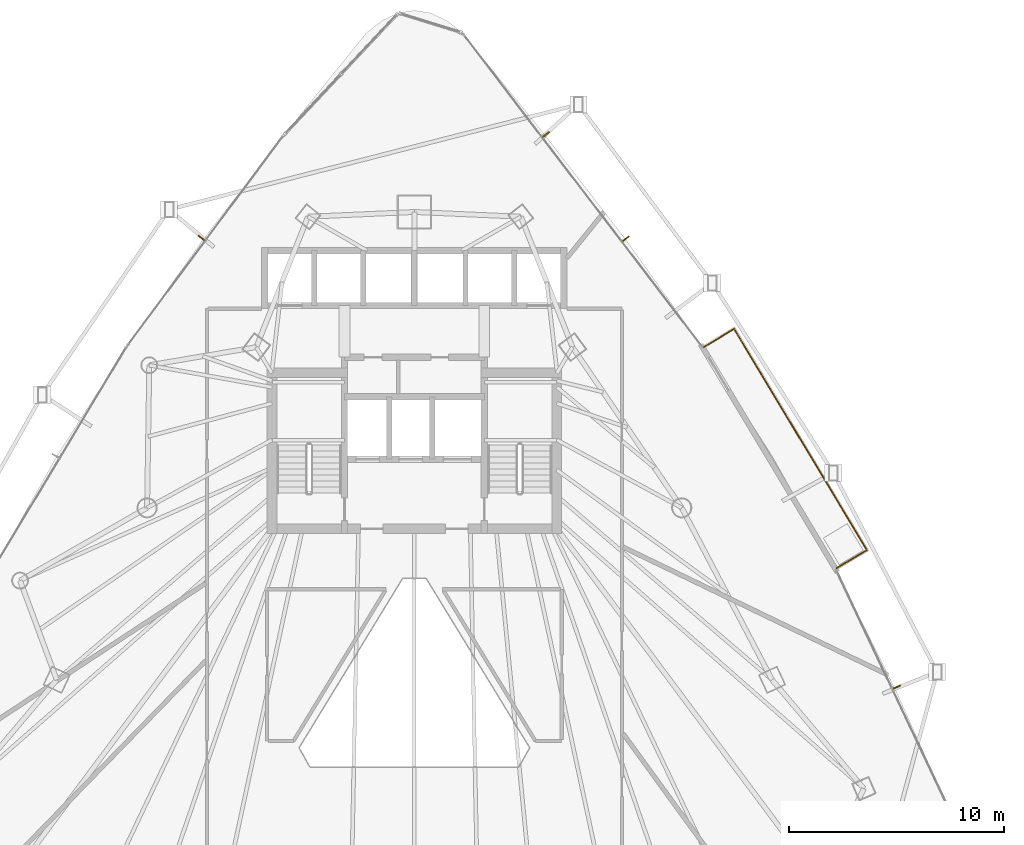
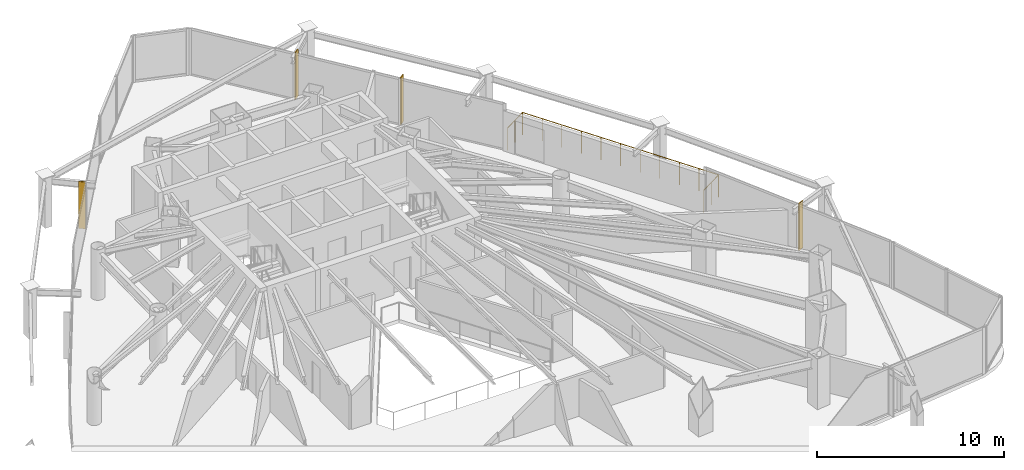
# One storey, part 33 of 33: 4 shading devices, 1 railing.
"""IFC4 building model written with IfcOpenShell, lengths in metres."""

from ifc_helpers import new_model, si_unit, direction, frame, origin, origin_2d, place, context, subcontext, project, spatial, rectangle, circle, extrude, material, layer, layer_set, type_object, element, save


model = new_model("IFC4")

# Units and contexts
model_context = context("Model", 3, precision=1e-05, world=origin(), true_north=direction((0.0, 1.0)))
body_context = subcontext(model_context, "Body", "Model", "MODEL_VIEW")
ifc_project = project(units=[si_unit("LENGTHUNIT", "METRE"), si_unit("AREAUNIT", "SQUARE_METRE"), si_unit("VOLUMEUNIT", "CUBIC_METRE"), si_unit("PLANEANGLEUNIT", "RADIAN"), si_unit("MASSUNIT", "GRAM", prefix="KILO")], contexts=[model_context])

# Site, building, storey
site_placement = place(None, origin())
site = spatial("IfcSite", under=ifc_project, at=site_placement, CompositionType="ELEMENT")
building_placement = place(site_placement, origin())
building = spatial("IfcBuilding", under=site, at=building_placement, Name="Orvanel Arch Residences", CompositionType="ELEMENT")
storey_placement = place(building_placement, frame((0.0, 0.0, 87.35009765625)))
storey = spatial("IfcBuildingStorey", under=building, at=storey_placement, Name="L24", CompositionType="ELEMENT", Elevation=87.35009765625)

# Shading devices
ifc_material = material(Name="Bronze-anodised aluminium AA6063-T6", Category="aluminium")
ifc_layer = layer(ifc_material, 0.06005859375)
ifc_layer_set = layer_set([ifc_layer], Name="Bronze-anodised aluminium AA6063-T6")
shading_device_type = type_object("IfcShadingDeviceType", Name="FIN-BRZ-380", PredefinedType="USERDEFINED", material=ifc_layer_set)
for number, where, z_axis, x_axis, name in (
    (1, (23.096923828125, 40.18603515625, -0.000244140625), (0.0, 0.0, 1.0), (-0.802817475191, 0.596224874966, 0.0), "L24 Anodised Bronze Mullion FIN 01"),
    (2, (55.427001953125, 19.306884765625, -0.000244140625), (0.0, 0.0, 1.0), (0.904082549661, 0.427357863387, 0.0), "L24 Anodised Bronze Mullion FIN 01"),
    (3, (42.825927734375, 40.15087890625, -0.000244140625), (0.0, 0.0, 1.0), (0.794414620535, 0.607375839723, 0.0), "L24 Anodised Bronze Mullion FIN 01"),
    (4, (39.1220703125, 44.9990234375, -0.000244140625), (0.0, 0.0, 1.0), (0.794414620535, 0.607375839723, 0.0), "L24 Anodised Bronze Mullion FIN 02"),
):
    element("IfcShadingDevice", number, at=place(storey_placement, frame(where, z_axis=z_axis, x_axis=x_axis)), inside=storey, type_object=shading_device_type, Name=name, ObjectType="FIN", PredefinedType="USERDEFINED", context=body_context, shape_type="SweptSolid", body=[
        extrude(rectangle(XDim=0.3798828125, YDim=0.06005859375, at=origin_2d()), origin(), (0.0, 0.0, 1.0), 3.06005859375),
    ])

# Railing
railing_type = type_object("IfcRailingType", Name="RL-BAL-1480", PredefinedType="BALUSTRADE", material=ifc_material)
railing_placement = place(storey_placement, frame((52.631103515625, 24.8330078125, 0.0)))
element("IfcRailing", 5, at=railing_placement, inside=storey, type_object=railing_type, Name="L24 Balcony Perimeter Guardrail Face 3", PredefinedType="BALUSTRADE", context=body_context, shape_type="SweptSolid", body=[
    extrude(circle(Radius=0.02392578125, at=origin_2d()), frame((0.001220703125, 0.000732421875, 1.4560546875), z_axis=(0.857545439568, 0.514408222208, 0.0), x_axis=(-0.514408222208, 0.857545439568, 0.0)), (0.0, 0.0, 1.0), 1.6376953125),
    extrude(circle(Radius=0.02392578125, at=origin_2d()), frame((1.40625, 0.84521484375, 1.4560546875), z_axis=(-0.514423902192, 0.85753603356, 0.0), x_axis=(-0.85753603356, -0.514423902192, 0.0)), (0.0, 0.0, 1.0), 11.989501953125),
    extrude(circle(Radius=0.02392578125, at=origin_2d()), frame((-4.763427734375, 11.127197265625, 1.4560546875), z_axis=(-0.857387817543, -0.514670895164, 0.0), x_axis=(0.514670895164, -0.857387817543, 0.0)), (0.0, 0.0, 1.0), 1.636962890625),
    extrude(circle(Radius=0.02099609375, at=origin_2d()), origin(), (0.0, 0.0, 1.0), 1.429931640625),
    extrude(circle(Radius=0.02099609375, at=origin_2d()), frame((0.70361328125, 0.421875, 0.0)), (0.0, 0.0, 1.0), 1.429931640625),
    extrude(circle(Radius=0.02099609375, at=origin_2d()), frame((1.406982421875, 0.843994140625, 0.0)), (0.0, 0.0, 1.0), 1.429931640625),
    extrude(circle(Radius=0.02099609375, at=origin_2d()), frame((0.7900390625, 1.872314453125, 0.0)), (0.0, 0.0, 1.0), 1.429931640625),
    extrude(circle(Radius=0.02099609375, at=origin_2d()), frame((0.173095703125, 2.90087890625, 0.0)), (0.0, 0.0, 1.0), 1.429931640625),
    extrude(circle(Radius=0.02099609375, at=origin_2d()), frame((-0.44384765625, 3.92919921875, 0.0)), (0.0, 0.0, 1.0), 1.429931640625),
    extrude(circle(Radius=0.02099609375, at=origin_2d()), frame((-1.060791015625, 4.95751953125, 0.0)), (0.0, 0.0, 1.0), 1.429931640625),
    extrude(circle(Radius=0.02099609375, at=origin_2d()), frame((-1.677734375, 5.98583984375, 0.0)), (0.0, 0.0, 1.0), 1.429931640625),
    extrude(circle(Radius=0.02099609375, at=origin_2d()), frame((-2.29443359375, 7.014404296875, 0.0)), (0.0, 0.0, 1.0), 1.429931640625),
    extrude(circle(Radius=0.02099609375, at=origin_2d()), frame((-2.911376953125, 8.042724609375, 0.0)), (0.0, 0.0, 1.0), 1.429931640625),
    extrude(circle(Radius=0.02099609375, at=origin_2d()), frame((-3.5283203125, 9.071044921875, 0.0)), (0.0, 0.0, 1.0), 1.429931640625),
    extrude(circle(Radius=0.02099609375, at=origin_2d()), frame((-4.145263671875, 10.099609375, 0.0)), (0.0, 0.0, 1.0), 1.429931640625),
    extrude(circle(Radius=0.02099609375, at=origin_2d()), frame((-4.76220703125, 11.1279296875, 0.0)), (0.0, 0.0, 1.0), 1.429931640625),
    extrude(circle(Radius=0.02099609375, at=origin_2d()), frame((-5.46533203125, 10.7060546875, 0.0)), (0.0, 0.0, 1.0), 1.429931640625),
    extrude(circle(Radius=0.02099609375, at=origin_2d()), frame((-6.168212890625, 10.283935546875, 0.0)), (0.0, 0.0, 1.0), 1.429931640625),
])

save(model, "model.ifc")
